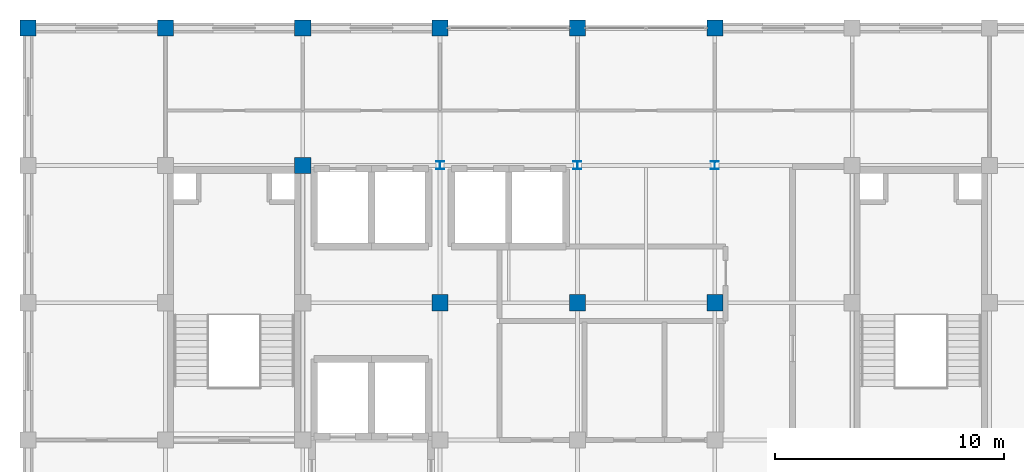
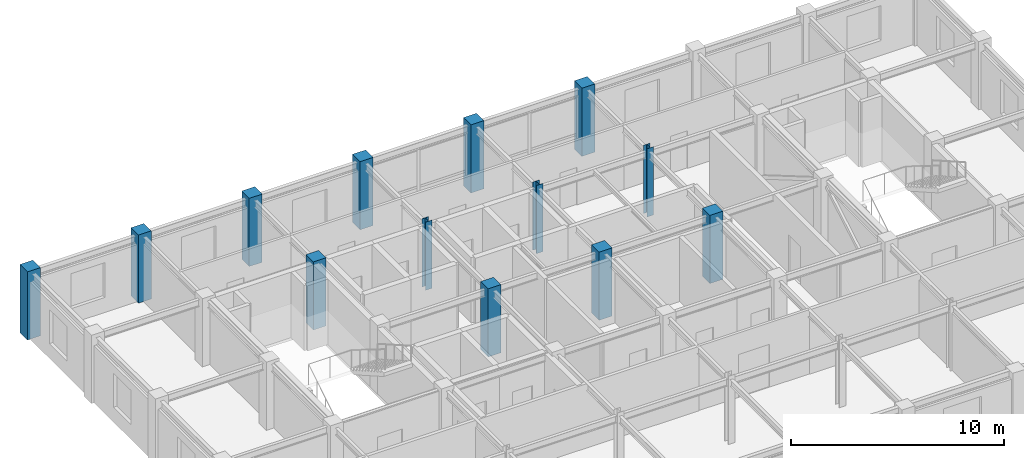
# One storey, part 2 of 13: 13 columns.
"""IFC4 building model written with IfcOpenShell, lengths in metres."""

from ifc_helpers import new_model, si_unit, direction, frame, origin, origin_2d, place, context, subcontext, project, spatial, rectangle, i_section, extrude, material, material_profile, profile_set, type_object, element, save


model = new_model("IFC4")

# Units and contexts
model_context = context("Model", 3, precision=1e-05, world=origin(), true_north=direction((0.0, 1.0)))
body_context = subcontext(model_context, "Body", "Model", "MODEL_VIEW")
ifc_project = project(units=[si_unit("LENGTHUNIT", "METRE"), si_unit("AREAUNIT", "SQUARE_METRE"), si_unit("VOLUMEUNIT", "CUBIC_METRE"), si_unit("PLANEANGLEUNIT", "RADIAN"), si_unit("MASSUNIT", "GRAM", prefix="KILO")], contexts=[model_context])

# Site, building, storey
site_placement = place(None, origin())
site = spatial("IfcSite", under=ifc_project, at=site_placement, CompositionType="ELEMENT")
building_placement = place(site_placement, origin())
building = spatial("IfcBuilding", under=site, at=building_placement, Name="Zlatovratsky Civic Hall", CompositionType="ELEMENT")
storey_placement = place(building_placement, frame((0.0, 0.0, 48.300048828125)))
storey = spatial("IfcBuildingStorey", under=building, at=storey_placement, Name="L12", CompositionType="ELEMENT", Elevation=48.300048828125)

# Columns
ifc_material_1 = material(Name="Concrete C35/45 (B40)", Category="concrete")
ifc_material_profile_1 = material_profile(ifc_material_1, rectangle(XDim=0.699951171875, YDim=0.699951171875, at=origin_2d()), Name="RC 700x700")
ifc_profile_set_1 = profile_set([ifc_material_profile_1], Name="Concrete C35/45 (B40)")
column_type_1 = type_object("IfcColumnType", Name="Col_CorePier_RC700", PredefinedType="COLUMN", material=ifc_profile_set_1)
for number, where, z_axis, x_axis, name in (
    (1, (78.0, 90.0, 0.0), (0.0, 0.0, 1.0), (1.0, 0.0, 0.0), "CL-2441"),
    (2, (84.0, 90.0, 0.0), (0.0, 0.0, 1.0), (1.0, 0.0, 0.0), "CL-2442"),
    (3, (90.0, 90.0, 0.0), (0.0, 0.0, 1.0), (1.0, 0.0, 0.0), "CL-2443"),
    (4, (72.0, 96.0, 0.0), (0.0, 0.0, 1.0), (1.0, 0.0, 0.0), "CL-2449"),
    (5, (60.0, 102.0, 0.0), (0.0, 0.0, 1.0), (1.0, 0.0, 0.0), "CL-2456"),
    (6, (66.0, 102.0, 0.0), (0.0, 0.0, 1.0), (1.0, 0.0, 0.0), "CL-2457"),
    (7, (72.0, 102.0, 0.0), (0.0, 0.0, 1.0), (1.0, 0.0, 0.0), "CL-2458"),
    (8, (78.0, 102.0, 0.0), (0.0, 0.0, 1.0), (1.0, 0.0, 0.0), "CL-2459"),
    (9, (84.0, 102.0, 0.0), (0.0, 0.0, 1.0), (1.0, 0.0, 0.0), "CL-2460"),
    (10, (90.0, 102.0, 0.0), (0.0, 0.0, 1.0), (1.0, 0.0, 0.0), "CL-2461"),
):
    element("IfcColumn", number, at=place(storey_placement, frame(where, z_axis=z_axis, x_axis=x_axis)), inside=storey, type_object=column_type_1, Name=name, PredefinedType="COLUMN", context=body_context, shape_type="SweptSolid", body=[
        extrude(rectangle(XDim=0.699951171875, YDim=0.699951171875, at=origin_2d()), origin(), (0.0, 0.0, 1.0), 3.89990234375),
    ])
ifc_material_2 = material(Name="Steel S355", Category="steel")
ifc_material_profile_2 = material_profile(ifc_material_2, i_section(OverallWidth=0.35009765625, OverallDepth=0.343017578125, WebThickness=0.010009765625, FlangeThickness=0.014892578125, FilletRadius=0.02001953125, at=origin_2d()), Name="35K1")
ifc_profile_set_2 = profile_set([ifc_material_profile_2], Name="Steel S355")
column_type_2 = type_object("IfcColumnType", Name="Col_Steel_35K1", PredefinedType="COLUMN", material=ifc_profile_set_2)
for number, where, z_axis, x_axis, name in (
    (11, (78.0, 96.0, 0.0), (0.0, 0.0, 1.0), (1.0, 0.0, 0.0), "CL-2450"),
    (12, (84.0, 96.0, 0.0), (0.0, 0.0, 1.0), (1.0, 0.0, 0.0), "CL-2451"),
    (13, (90.0, 96.0, 0.0), (0.0, 0.0, 1.0), (1.0, 0.0, 0.0), "CL-2452"),
):
    element("IfcColumn", number, at=place(storey_placement, frame(where, z_axis=z_axis, x_axis=x_axis)), inside=storey, type_object=column_type_2, Name=name, PredefinedType="COLUMN", context=body_context, shape_type="SweptSolid", body=[
        extrude(i_section(OverallWidth=0.35009765625, OverallDepth=0.343017578125, WebThickness=0.010009765625, FlangeThickness=0.014892578125, FilletRadius=0.02001953125, at=origin_2d()), origin(), (0.0, 0.0, 1.0), 3.89990234375),
    ])

save(model, "model.ifc")
